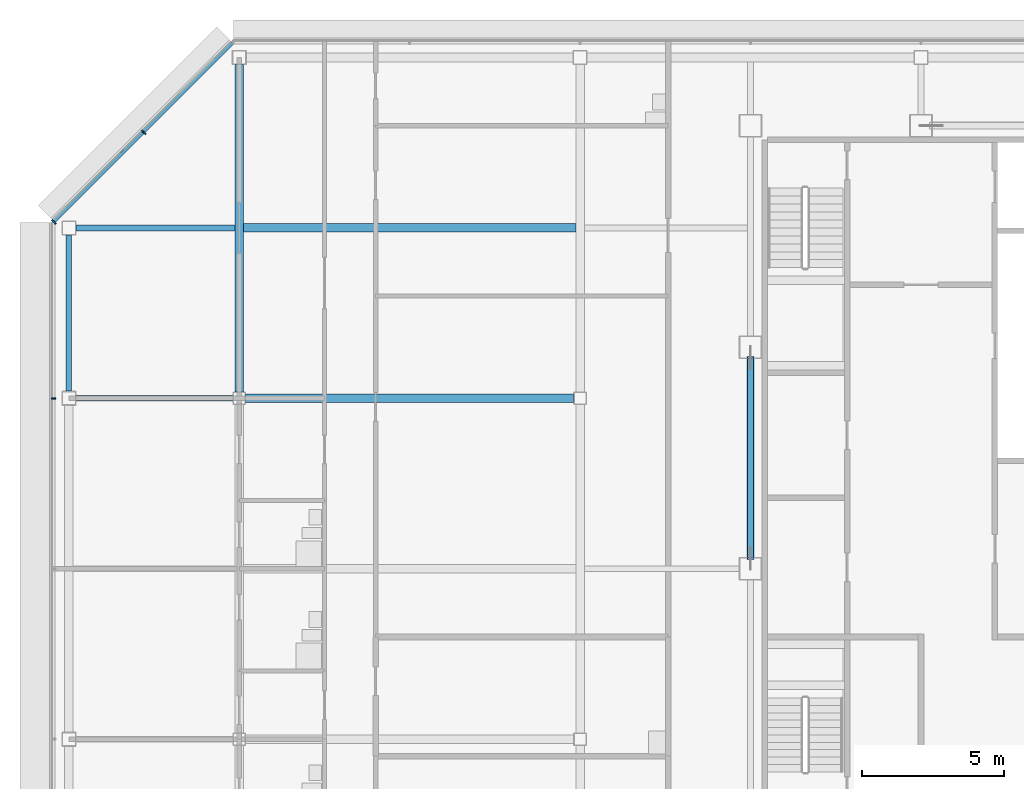
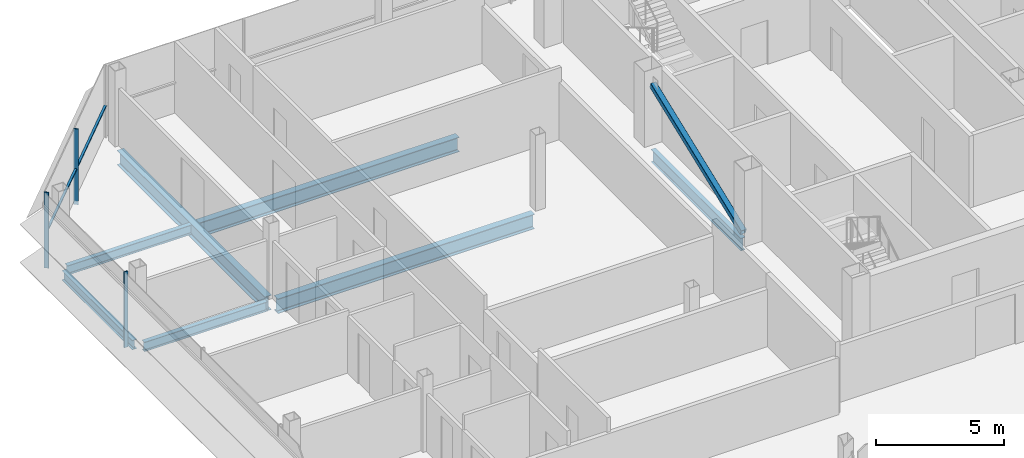
# One storey, part 15 of 31: 7 beams, 5 members, 2 elements without a shape of their own.
"""IFC4 building model written with IfcOpenShell, lengths in metres."""

from ifc_helpers import new_model, si_unit, direction, frame, origin, origin_2d, place, context, subcontext, project, spatial, rectangle, hollow_rectangle, i_section, extrude, material, material_profile, profile_set, type_object, element, aggregate, save


model = new_model("IFC4")

# Units and contexts
model_context = context("Model", 3, precision=1e-05, world=origin(), true_north=direction((0.0, 1.0)))
body_context = subcontext(model_context, "Body", "Model", "MODEL_VIEW")
ifc_project = project(units=[si_unit("LENGTHUNIT", "METRE"), si_unit("AREAUNIT", "SQUARE_METRE"), si_unit("VOLUMEUNIT", "CUBIC_METRE"), si_unit("PLANEANGLEUNIT", "RADIAN"), si_unit("MASSUNIT", "GRAM", prefix="KILO")], contexts=[model_context])

# Site, building, storey
site_placement = place(None, origin())
site = spatial("IfcSite", under=ifc_project, at=site_placement, CompositionType="ELEMENT")
building_placement = place(site_placement, origin())
building = spatial("IfcBuilding", under=site, at=building_placement, Name="Sorahane Residences", CompositionType="ELEMENT")
storey_placement = place(building_placement, frame((0.0, 0.0, 319.60009765625)))
storey = spatial("IfcBuildingStorey", under=building, at=storey_placement, Name="L76", CompositionType="ELEMENT", Elevation=319.60009765625)

# Member
ifc_material_1 = material(Name="Steel Q355B", Category="steel")
ifc_material_profile_1 = material_profile(ifc_material_1, hollow_rectangle(XDim=0.25, YDim=0.25, WallThickness=0.011962890625, InnerFilletRadius=0.006103515625, OuterFilletRadius=0.01806640625, at=origin_2d()), Name="RHS 250x250x12")
ifc_profile_set_1 = profile_set([ifc_material_profile_1], Name="Steel Q355B")
member_type_1 = type_object("IfcMemberType", Name="Core brace RHS 250x250x12 Q355B", PredefinedType="BRACE", material=ifc_profile_set_1)
member_1_placement = place(storey_placement, frame((6.0, 30.372802734375, 0.1142578125), z_axis=(0.0, 0.932102104456, 0.362195619617), x_axis=(-1.0, 0.0, 0.0)))
element("IfcMember", 1, at=member_1_placement, inside=storey, type_object=member_type_1, Name="Core brace L76 x6-2", PredefinedType="BRACE", context=body_context, shape_type="SweptSolid", body=[
    extrude(hollow_rectangle(XDim=0.25, YDim=0.25, WallThickness=0.011962890625, InnerFilletRadius=0.006103515625, OuterFilletRadius=0.01806640625, at=origin_2d()), origin(), (0.0, 0.0, 1.0), 7.568359375),
])

# Curtain wall, member
ifc_material_2 = material(Name="Dark low-e glass and black anodised aluminium", Category="aluminium")
curtain_wall_type_1 = type_object("IfcCurtainWallType", Name="Curtain wall CW-1 Typical unitised wall", PredefinedType="NOTDEFINED", material=ifc_material_2)
curtain_wall_1_placement = place(storey_placement, origin())
curtain_wall_1 = element("IfcCurtainWall", 2, at=curtain_wall_1_placement, inside=storey, type_object=curtain_wall_type_1, Name="CW-1 curtain wall L76 W2", PredefinedType="NOTDEFINED")
ifc_material_3 = material(Name="Black anodised aluminium", Category="aluminium")
ifc_material_profile_2 = material_profile(ifc_material_3, rectangle(XDim=0.159912109375, YDim=0.050048828125, at=origin_2d()), Name="Curtain wall mullion CW-1 black anodised aluminium 50x160")
ifc_profile_set_2 = profile_set([ifc_material_profile_2], Name="Black anodised aluminium")
member_type_2 = type_object("IfcMemberType", Name="Curtain wall mullion CW-1 black anodised aluminium 50x160", PredefinedType="MULLION", material=ifc_profile_set_2)
member_2_placement = place(storey_placement, frame((-18.5400390625, 36.0, -0.18017578125), z_axis=(0.0, 0.0, 1.0), x_axis=(-1.0, 0.0, 0.0)))
member_2 = element("IfcMember", 3, at=member_2_placement, type_object=member_type_2, Name="CW-1 mullion L76 W2.2", PredefinedType="MULLION", context=body_context, shape_type="SweptSolid", body=[
    extrude(rectangle(XDim=0.159912109375, YDim=0.050048828125, at=origin_2d()), origin(), (0.0, 0.0, 1.0), 3.60009765625),
])
aggregate(curtain_wall_1, [member_2])

# Curtain wall, members
ifc_material_4 = material(Name="Dark low-e glass and black anodised aluminium", Category="aluminium")
curtain_wall_type_2 = type_object("IfcCurtainWallType", Name="Curtain wall CW-2 Chamfer unitised wall", PredefinedType="NOTDEFINED", material=ifc_material_4)
curtain_wall_2_placement = place(storey_placement, origin())
curtain_wall_2 = element("IfcCurtainWall", 4, at=curtain_wall_2_placement, inside=storey, type_object=curtain_wall_type_2, Name="CW-2 curtain wall L76 NW1", PredefinedType="NOTDEFINED")
ifc_material_5 = material(Name="Black anodised aluminium", Category="aluminium")
ifc_material_profile_3 = material_profile(ifc_material_5, rectangle(XDim=0.199951171875, YDim=0.050048828125, at=origin_2d()), Name="Curtain wall mullion CW-2 black anodised aluminium 50x200")
ifc_profile_set_3 = profile_set([ifc_material_profile_3], Name="Black anodised aluminium")
member_type_3 = type_object("IfcMemberType", Name="Curtain wall mullion CW-2 black anodised aluminium 50x200", PredefinedType="MULLION", material=ifc_profile_set_3)
member_3_placement = place(storey_placement, frame((-15.36767578125, 45.36767578125, -0.18017578125), z_axis=(0.0, 0.0, 1.0), x_axis=(-0.707106781187, 0.707106781187, 0.0)))
member_3 = element("IfcMember", 5, at=member_3_placement, type_object=member_type_3, Name="CW-2 mullion L76 NW1.2", PredefinedType="MULLION", context=body_context, shape_type="SweptSolid", body=[
    extrude(rectangle(XDim=0.199951171875, YDim=0.050048828125, at=origin_2d()), origin(), (0.0, 0.0, 1.0), 3.60009765625),
])
member_4_placement = place(storey_placement, frame((-18.525634765625, 42.209716796875, -0.18017578125), z_axis=(0.0, 0.0, 1.0), x_axis=(-0.707106781187, 0.707106781187, 0.0)))
member_4 = element("IfcMember", 6, at=member_4_placement, type_object=member_type_3, Name="CW-2 mullion L76 NW1.3", PredefinedType="MULLION", context=body_context, shape_type="SweptSolid", body=[
    extrude(rectangle(XDim=0.199951171875, YDim=0.050048828125, at=origin_2d()), origin(), (0.0, 0.0, 1.0), 3.60009765625),
])
ifc_material_6 = material(Name="Black anodised aluminium", Category="aluminium")
ifc_material_profile_4 = material_profile(ifc_material_6, rectangle(XDim=0.10009765625, YDim=0.06005859375, at=origin_2d()), Name="Curtain wall transom CW-2 black anodised aluminium 60x100")
ifc_profile_set_4 = profile_set([ifc_material_profile_4], Name="Black anodised aluminium")
member_type_4 = type_object("IfcMemberType", Name="Curtain wall transom CW-2 black anodised aluminium 60x100", PredefinedType="USERDEFINED", material=ifc_profile_set_4)
member_5_placement = place(storey_placement, frame((-12.234375, 48.51513671875, 1.5), z_axis=(-0.707106781187, -0.707106781187, 0.0), x_axis=(0.707106781187, -0.707106781187, 0.0)))
member_5 = element("IfcMember", 7, at=member_5_placement, type_object=member_type_4, Name="CW-2 transom L76 NW1", ObjectType="TRANSOM", PredefinedType="USERDEFINED", context=body_context, shape_type="SweptSolid", body=[
    extrude(rectangle(XDim=0.10009765625, YDim=0.06005859375, at=origin_2d()), origin(), (0.0, 0.0, 1.0), 8.88232421875),
])
aggregate(curtain_wall_2, [member_3, member_4, member_5])

# Beams
ifc_material_7 = material(Name="Steel Q355B", Category="steel")
ifc_material_profile_5 = material_profile(ifc_material_7, i_section(OverallWidth=0.199951171875, OverallDepth=0.449951171875, WebThickness=0.009033203125, FlangeThickness=0.013916015625, FilletRadius=0.02001953125, at=origin_2d()), Name="HN 450x200x9x14")
ifc_profile_set_5 = profile_set([ifc_material_profile_5], Name="Steel Q355B")
beam_type_1 = type_object("IfcBeamType", Name="Steel floor beam HN 450x200x9x14 Q355B", PredefinedType="BEAM", material=ifc_profile_set_5)
beam_1_placement = place(storey_placement, frame((-17.75, 36.0, -0.405029296875), z_axis=(1.0, 0.0, 0.0), x_axis=(0.0, 1.0, 0.0)))
element("IfcBeam", 8, at=beam_1_placement, inside=storey, type_object=beam_type_1, Name="Beam L76 013", PredefinedType="BEAM", context=body_context, shape_type="SweptSolid", body=[
    extrude(i_section(OverallWidth=0.199951171875, OverallDepth=0.449951171875, WebThickness=0.009033203125, FlangeThickness=0.013916015625, FilletRadius=0.02001953125, at=origin_2d()), origin(), (0.0, 0.0, 1.0), 5.52490234375),
])
beam_2_placement = place(storey_placement, frame((-18.0, 36.25, -0.405029296875), z_axis=(0.0, 1.0, 0.0), x_axis=(-1.0, 0.0, 0.0)))
element("IfcBeam", 9, at=beam_2_placement, inside=storey, type_object=beam_type_1, Name="Beam L76 023", PredefinedType="BEAM", context=body_context, shape_type="SweptSolid", body=[
    extrude(i_section(OverallWidth=0.199951171875, OverallDepth=0.449951171875, WebThickness=0.009033203125, FlangeThickness=0.013916015625, FilletRadius=0.02001953125, at=origin_2d()), origin(), (0.0, 0.0, 1.0), 5.5),
])
beam_3_placement = place(storey_placement, frame((-17.75, 42.0, -0.405029296875), z_axis=(1.0, 0.0, 0.0), x_axis=(0.0, 1.0, 0.0)))
element("IfcBeam", 10, at=beam_3_placement, inside=storey, type_object=beam_type_1, Name="Beam L76 085", PredefinedType="BEAM", context=body_context, shape_type="SweptSolid", body=[
    extrude(i_section(OverallWidth=0.199951171875, OverallDepth=0.449951171875, WebThickness=0.009033203125, FlangeThickness=0.013916015625, FilletRadius=0.02001953125, at=origin_2d()), origin(), (0.0, 0.0, 1.0), 5.60009765625),
])
ifc_material_8 = material(Name="Steel Q355B", Category="steel")
ifc_material_profile_6 = material_profile(ifc_material_8, i_section(OverallWidth=0.199951171875, OverallDepth=0.60009765625, WebThickness=0.010986328125, FlangeThickness=0.01708984375, FilletRadius=0.02392578125, at=origin_2d()), Name="HN 600x200x11x17")
ifc_profile_set_6 = profile_set([ifc_material_profile_6], Name="Steel Q355B")
beam_type_2 = type_object("IfcBeamType", Name="Steel floor beam HN 600x200x11x17 Q355B", PredefinedType="BEAM", material=ifc_profile_set_6)
beam_4_placement = place(storey_placement, frame((6.0, 30.39990234375, -0.47998046875), z_axis=(0.0, 1.0, 0.0), x_axis=(-1.0, 0.0, 0.0)))
element("IfcBeam", 11, at=beam_4_placement, inside=storey, type_object=beam_type_2, Name="Beam L76 034", PredefinedType="BEAM", context=body_context, shape_type="SweptSolid", body=[
    extrude(i_section(OverallWidth=0.199951171875, OverallDepth=0.60009765625, WebThickness=0.010986328125, FlangeThickness=0.01708984375, FilletRadius=0.02392578125, at=origin_2d()), origin(), (0.0, 0.0, 1.0), 7.0),
])
ifc_material_9 = material(Name="Steel Q355B", Category="steel")
ifc_material_profile_7 = material_profile(ifc_material_9, i_section(OverallWidth=0.300048828125, OverallDepth=0.699951171875, WebThickness=0.012939453125, FlangeThickness=0.02392578125, FilletRadius=0.028076171875, at=origin_2d()), Name="HN 700x300x13x24")
ifc_profile_set_7 = profile_set([ifc_material_profile_7], Name="Steel Q355B")
beam_type_3 = type_object("IfcBeamType", Name="Steel floor beam HN 700x300x13x24 Q355B", PredefinedType="BEAM", material=ifc_profile_set_7)
beam_5_placement = place(storey_placement, frame((-11.77490234375, 36.0, -0.530029296875), z_axis=(1.0, 0.0, 0.0), x_axis=(0.0, 1.0, 0.0)))
element("IfcBeam", 12, at=beam_5_placement, inside=storey, type_object=beam_type_3, Name="Beam L76 014", PredefinedType="BEAM", context=body_context, shape_type="SweptSolid", body=[
    extrude(i_section(OverallWidth=0.300048828125, OverallDepth=0.699951171875, WebThickness=0.012939453125, FlangeThickness=0.02392578125, FilletRadius=0.028076171875, at=origin_2d()), origin(), (0.0, 0.0, 1.0), 11.5498046875),
])
beam_6_placement = place(storey_placement, frame((-12.0, 36.22509765625, -0.530029296875), z_axis=(0.0, 1.0, 0.0), x_axis=(-1.0, 0.0, 0.0)))
element("IfcBeam", 13, at=beam_6_placement, inside=storey, type_object=beam_type_3, Name="Beam L76 027", PredefinedType="BEAM", context=body_context, shape_type="SweptSolid", body=[
    extrude(i_section(OverallWidth=0.300048828125, OverallDepth=0.699951171875, WebThickness=0.012939453125, FlangeThickness=0.02392578125, FilletRadius=0.028076171875, at=origin_2d()), origin(), (0.0, 0.0, 1.0), 11.52490234375),
])
beam_7_placement = place(storey_placement, frame((-11.85009765625, 42.0, -0.530029296875), z_axis=(1.0, 0.0, 0.0), x_axis=(0.0, 1.0, 0.0)))
element("IfcBeam", 14, at=beam_7_placement, inside=storey, type_object=beam_type_3, Name="Beam L76 086", PredefinedType="BEAM", context=body_context, shape_type="SweptSolid", body=[
    extrude(i_section(OverallWidth=0.300048828125, OverallDepth=0.699951171875, WebThickness=0.012939453125, FlangeThickness=0.02392578125, FilletRadius=0.028076171875, at=origin_2d()), origin(), (0.0, 0.0, 1.0), 11.7001953125),
])

save(model, "model.ifc")
